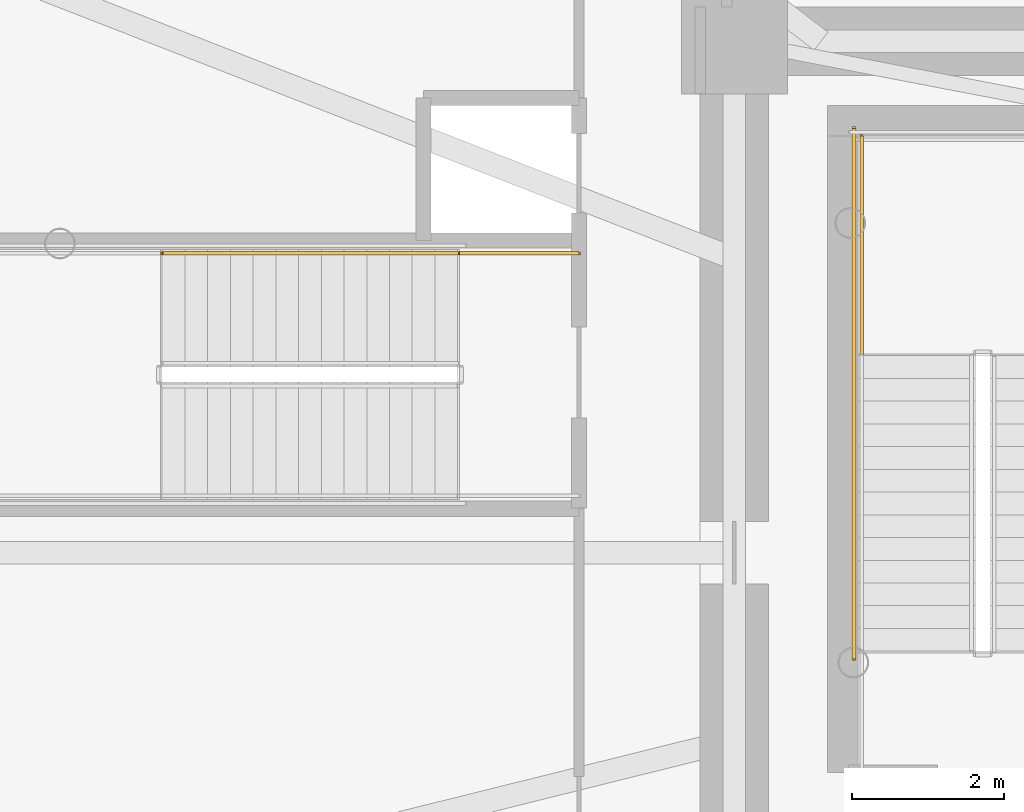
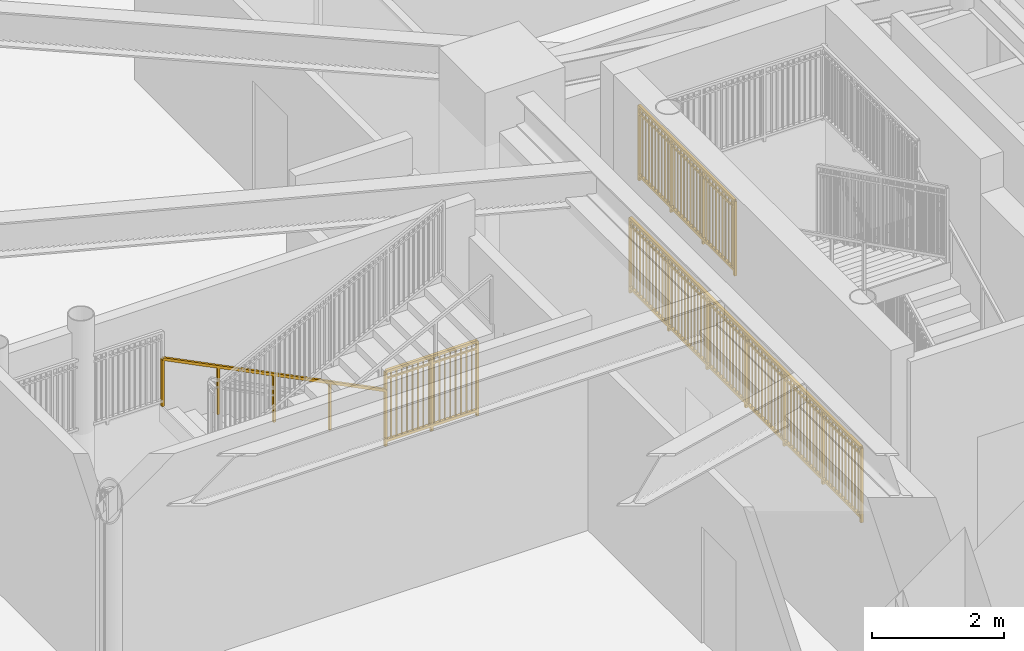
# One storey, part 27 of 35: 4 railings.
"""IFC4 building model written with IfcOpenShell, lengths in metres."""

from ifc_helpers import new_model, si_unit, direction, frame, origin, origin_2d, place, context, subcontext, project, spatial, rectangle, extrude, source, transform, mapped, material, type_object, element, save


model = new_model("IFC4")

# Units and contexts
model_context = context("Model", 3, precision=1e-05, world=origin(), true_north=direction((0.0, 1.0)))
body_context = subcontext(model_context, "Body", "Model", "MODEL_VIEW")
ifc_project = project(units=[si_unit("LENGTHUNIT", "METRE"), si_unit("AREAUNIT", "SQUARE_METRE"), si_unit("VOLUMEUNIT", "CUBIC_METRE"), si_unit("PLANEANGLEUNIT", "RADIAN"), si_unit("MASSUNIT", "GRAM", prefix="KILO")], contexts=[model_context])

# Site, building, storey
site_placement = place(None, origin())
site = spatial("IfcSite", under=ifc_project, at=site_placement, CompositionType="ELEMENT")
building_placement = place(site_placement, origin())
building = spatial("IfcBuilding", under=site, at=building_placement, Name="Linh Dai School and Residence Tower", CompositionType="ELEMENT")
storey_placement = place(building_placement, frame((0.0, 0.0, 32.39990234375)))
storey = spatial("IfcBuildingStorey", under=building, at=storey_placement, Name="L07", CompositionType="ELEMENT", Elevation=32.39990234375)

# Railings
ifc_material_1 = material(Name="Structural Steel S355JR", Category="steel")
railing_type_1 = type_object("IfcRailingType", Name="RL-ST-GUARD-1400", PredefinedType="GUARDRAIL", material=ifc_material_1)
shared_shape_1 = source(origin(), body_context, "Body", "SweptSolid", [
    extrude(rectangle(XDim=0.048095703125, YDim=0.048095703125, at=origin_2d()), frame((0.0, 0.0, 1.3759765625), z_axis=(0.0, 1.0, 0.0), x_axis=(-1.0, 0.0, 0.0)), (0.0, 0.0, 1.0), 7.0),
    extrude(rectangle(XDim=0.048095703125, YDim=0.048095703125, at=origin_2d()), frame((0.0, 0.0, 0.10009765625), z_axis=(0.0, 1.0, 0.0), x_axis=(-1.0, 0.0, 0.0)), (0.0, 0.0, 1.0), 7.0),
    extrude(rectangle(XDim=0.030029296875, YDim=0.030029296875, at=origin_2d()), frame((0.0, 0.0, 1.239990234375), z_axis=(0.0, 1.0, 0.0), x_axis=(-1.0, 0.0, 0.0)), (0.0, 0.0, 1.0), 7.0),
    extrude(rectangle(XDim=0.02001953125, YDim=0.02001953125, at=origin_2d()), frame((0.0, 0.09716796875, 0.10009765625)), (0.0, 0.0, 1.0), 1.251708984375),
    extrude(rectangle(XDim=0.02001953125, YDim=0.02001953125, at=origin_2d()), frame((0.0, 0.1943359375, 0.10009765625)), (0.0, 0.0, 1.0), 1.251708984375),
    extrude(rectangle(XDim=0.02001953125, YDim=0.02001953125, at=origin_2d()), frame((0.0, 0.291748046875, 0.10009765625)), (0.0, 0.0, 1.0), 1.251708984375),
    extrude(rectangle(XDim=0.02001953125, YDim=0.02001953125, at=origin_2d()), frame((0.0, 0.388916015625, 0.10009765625)), (0.0, 0.0, 1.0), 1.251708984375),
    extrude(rectangle(XDim=0.02001953125, YDim=0.02001953125, at=origin_2d()), frame((0.0, 0.486083984375, 0.10009765625)), (0.0, 0.0, 1.0), 1.251708984375),
    extrude(rectangle(XDim=0.02001953125, YDim=0.02001953125, at=origin_2d()), frame((0.0, 0.583251953125, 0.10009765625)), (0.0, 0.0, 1.0), 1.251708984375),
    extrude(rectangle(XDim=0.02001953125, YDim=0.02001953125, at=origin_2d()), frame((0.0, 0.6806640625, 0.10009765625)), (0.0, 0.0, 1.0), 1.251708984375),
    extrude(rectangle(XDim=0.02001953125, YDim=0.02001953125, at=origin_2d()), frame((0.0, 0.77783203125, 0.10009765625)), (0.0, 0.0, 1.0), 1.251708984375),
    extrude(rectangle(XDim=0.02001953125, YDim=0.02001953125, at=origin_2d()), frame((0.0, 0.875, 0.10009765625)), (0.0, 0.0, 1.0), 1.251708984375),
    extrude(rectangle(XDim=0.02001953125, YDim=0.02001953125, at=origin_2d()), frame((0.0, 0.97216796875, 0.10009765625)), (0.0, 0.0, 1.0), 1.251708984375),
    extrude(rectangle(XDim=0.02001953125, YDim=0.02001953125, at=origin_2d()), frame((0.0, 1.0693359375, 0.10009765625)), (0.0, 0.0, 1.0), 1.251708984375),
    extrude(rectangle(XDim=0.02001953125, YDim=0.02001953125, at=origin_2d()), frame((0.0, 1.263916015625, 0.10009765625)), (0.0, 0.0, 1.0), 1.251708984375),
    extrude(rectangle(XDim=0.02001953125, YDim=0.02001953125, at=origin_2d()), frame((0.0, 1.361083984375, 0.10009765625)), (0.0, 0.0, 1.0), 1.251708984375),
    extrude(rectangle(XDim=0.02001953125, YDim=0.02001953125, at=origin_2d()), frame((0.0, 1.458251953125, 0.10009765625)), (0.0, 0.0, 1.0), 1.251708984375),
    extrude(rectangle(XDim=0.02001953125, YDim=0.02001953125, at=origin_2d()), frame((0.0, 1.5556640625, 0.10009765625)), (0.0, 0.0, 1.0), 1.251708984375),
    extrude(rectangle(XDim=0.02001953125, YDim=0.02001953125, at=origin_2d()), frame((0.0, 1.65283203125, 0.10009765625)), (0.0, 0.0, 1.0), 1.251708984375),
    extrude(rectangle(XDim=0.02001953125, YDim=0.02001953125, at=origin_2d()), frame((0.0, 1.75, 0.10009765625)), (0.0, 0.0, 1.0), 1.251708984375),
    extrude(rectangle(XDim=0.02001953125, YDim=0.02001953125, at=origin_2d()), frame((0.0, 1.84716796875, 0.10009765625)), (0.0, 0.0, 1.0), 1.251708984375),
    extrude(rectangle(XDim=0.02001953125, YDim=0.02001953125, at=origin_2d()), frame((0.0, 1.9443359375, 0.10009765625)), (0.0, 0.0, 1.0), 1.251708984375),
    extrude(rectangle(XDim=0.02001953125, YDim=0.02001953125, at=origin_2d()), frame((0.0, 2.041748046875, 0.10009765625)), (0.0, 0.0, 1.0), 1.251708984375),
    extrude(rectangle(XDim=0.02001953125, YDim=0.02001953125, at=origin_2d()), frame((0.0, 2.138916015625, 0.10009765625)), (0.0, 0.0, 1.0), 1.251708984375),
    extrude(rectangle(XDim=0.02001953125, YDim=0.02001953125, at=origin_2d()), frame((0.0, 2.236083984375, 0.10009765625)), (0.0, 0.0, 1.0), 1.251708984375),
    extrude(rectangle(XDim=0.02001953125, YDim=0.02001953125, at=origin_2d()), frame((0.0, 2.4306640625, 0.10009765625)), (0.0, 0.0, 1.0), 1.251708984375),
    extrude(rectangle(XDim=0.02001953125, YDim=0.02001953125, at=origin_2d()), frame((0.0, 2.52783203125, 0.10009765625)), (0.0, 0.0, 1.0), 1.251708984375),
    extrude(rectangle(XDim=0.02001953125, YDim=0.02001953125, at=origin_2d()), frame((0.0, 2.625, 0.10009765625)), (0.0, 0.0, 1.0), 1.251708984375),
    extrude(rectangle(XDim=0.02001953125, YDim=0.02001953125, at=origin_2d()), frame((0.0, 2.72216796875, 0.10009765625)), (0.0, 0.0, 1.0), 1.251708984375),
    extrude(rectangle(XDim=0.02001953125, YDim=0.02001953125, at=origin_2d()), frame((0.0, 2.8193359375, 0.10009765625)), (0.0, 0.0, 1.0), 1.251708984375),
    extrude(rectangle(XDim=0.02001953125, YDim=0.02001953125, at=origin_2d()), frame((0.0, 2.916748046875, 0.10009765625)), (0.0, 0.0, 1.0), 1.251708984375),
    extrude(rectangle(XDim=0.02001953125, YDim=0.02001953125, at=origin_2d()), frame((0.0, 3.013916015625, 0.10009765625)), (0.0, 0.0, 1.0), 1.251708984375),
    extrude(rectangle(XDim=0.02001953125, YDim=0.02001953125, at=origin_2d()), frame((0.0, 3.111083984375, 0.10009765625)), (0.0, 0.0, 1.0), 1.251708984375),
    extrude(rectangle(XDim=0.02001953125, YDim=0.02001953125, at=origin_2d()), frame((0.0, 3.208251953125, 0.10009765625)), (0.0, 0.0, 1.0), 1.251708984375),
    extrude(rectangle(XDim=0.02001953125, YDim=0.02001953125, at=origin_2d()), frame((0.0, 3.3056640625, 0.10009765625)), (0.0, 0.0, 1.0), 1.251708984375),
    extrude(rectangle(XDim=0.02001953125, YDim=0.02001953125, at=origin_2d()), frame((0.0, 3.40283203125, 0.10009765625)), (0.0, 0.0, 1.0), 1.251708984375),
    extrude(rectangle(XDim=0.02001953125, YDim=0.02001953125, at=origin_2d()), frame((0.0, 3.59716796875, 0.10009765625)), (0.0, 0.0, 1.0), 1.251708984375),
    extrude(rectangle(XDim=0.02001953125, YDim=0.02001953125, at=origin_2d()), frame((0.0, 3.6943359375, 0.10009765625)), (0.0, 0.0, 1.0), 1.251708984375),
    extrude(rectangle(XDim=0.02001953125, YDim=0.02001953125, at=origin_2d()), frame((0.0, 3.791748046875, 0.10009765625)), (0.0, 0.0, 1.0), 1.251708984375),
    extrude(rectangle(XDim=0.02001953125, YDim=0.02001953125, at=origin_2d()), frame((0.0, 3.888916015625, 0.10009765625)), (0.0, 0.0, 1.0), 1.251708984375),
    extrude(rectangle(XDim=0.02001953125, YDim=0.02001953125, at=origin_2d()), frame((0.0, 3.986083984375, 0.10009765625)), (0.0, 0.0, 1.0), 1.251708984375),
    extrude(rectangle(XDim=0.02001953125, YDim=0.02001953125, at=origin_2d()), frame((0.0, 4.083251953125, 0.10009765625)), (0.0, 0.0, 1.0), 1.251708984375),
    extrude(rectangle(XDim=0.02001953125, YDim=0.02001953125, at=origin_2d()), frame((0.0, 4.1806640625, 0.10009765625)), (0.0, 0.0, 1.0), 1.251708984375),
    extrude(rectangle(XDim=0.02001953125, YDim=0.02001953125, at=origin_2d()), frame((0.0, 4.27783203125, 0.10009765625)), (0.0, 0.0, 1.0), 1.251708984375),
    extrude(rectangle(XDim=0.02001953125, YDim=0.02001953125, at=origin_2d()), frame((0.0, 4.375, 0.10009765625)), (0.0, 0.0, 1.0), 1.251708984375),
    extrude(rectangle(XDim=0.02001953125, YDim=0.02001953125, at=origin_2d()), frame((0.0, 4.47216796875, 0.10009765625)), (0.0, 0.0, 1.0), 1.251708984375),
    extrude(rectangle(XDim=0.02001953125, YDim=0.02001953125, at=origin_2d()), frame((0.0, 4.5693359375, 0.10009765625)), (0.0, 0.0, 1.0), 1.251708984375),
    extrude(rectangle(XDim=0.02001953125, YDim=0.02001953125, at=origin_2d()), frame((0.0, 4.763916015625, 0.10009765625)), (0.0, 0.0, 1.0), 1.251708984375),
    extrude(rectangle(XDim=0.02001953125, YDim=0.02001953125, at=origin_2d()), frame((0.0, 4.861083984375, 0.10009765625)), (0.0, 0.0, 1.0), 1.251708984375),
    extrude(rectangle(XDim=0.02001953125, YDim=0.02001953125, at=origin_2d()), frame((0.0, 4.958251953125, 0.10009765625)), (0.0, 0.0, 1.0), 1.251708984375),
    extrude(rectangle(XDim=0.02001953125, YDim=0.02001953125, at=origin_2d()), frame((0.0, 5.0556640625, 0.10009765625)), (0.0, 0.0, 1.0), 1.251708984375),
    extrude(rectangle(XDim=0.02001953125, YDim=0.02001953125, at=origin_2d()), frame((0.0, 5.15283203125, 0.10009765625)), (0.0, 0.0, 1.0), 1.251708984375),
    extrude(rectangle(XDim=0.02001953125, YDim=0.02001953125, at=origin_2d()), frame((0.0, 5.25, 0.10009765625)), (0.0, 0.0, 1.0), 1.251708984375),
    extrude(rectangle(XDim=0.02001953125, YDim=0.02001953125, at=origin_2d()), frame((0.0, 5.34716796875, 0.10009765625)), (0.0, 0.0, 1.0), 1.251708984375),
    extrude(rectangle(XDim=0.02001953125, YDim=0.02001953125, at=origin_2d()), frame((0.0, 5.4443359375, 0.10009765625)), (0.0, 0.0, 1.0), 1.251708984375),
    extrude(rectangle(XDim=0.02001953125, YDim=0.02001953125, at=origin_2d()), frame((0.0, 5.541748046875, 0.10009765625)), (0.0, 0.0, 1.0), 1.251708984375),
    extrude(rectangle(XDim=0.02001953125, YDim=0.02001953125, at=origin_2d()), frame((0.0, 5.638916015625, 0.10009765625)), (0.0, 0.0, 1.0), 1.251708984375),
    extrude(rectangle(XDim=0.02001953125, YDim=0.02001953125, at=origin_2d()), frame((0.0, 5.736083984375, 0.10009765625)), (0.0, 0.0, 1.0), 1.251708984375),
    extrude(rectangle(XDim=0.02001953125, YDim=0.02001953125, at=origin_2d()), frame((0.0, 5.9306640625, 0.10009765625)), (0.0, 0.0, 1.0), 1.251708984375),
    extrude(rectangle(XDim=0.02001953125, YDim=0.02001953125, at=origin_2d()), frame((0.0, 6.02783203125, 0.10009765625)), (0.0, 0.0, 1.0), 1.251708984375),
    extrude(rectangle(XDim=0.02001953125, YDim=0.02001953125, at=origin_2d()), frame((0.0, 6.125, 0.10009765625)), (0.0, 0.0, 1.0), 1.251708984375),
    extrude(rectangle(XDim=0.02001953125, YDim=0.02001953125, at=origin_2d()), frame((0.0, 6.22216796875, 0.10009765625)), (0.0, 0.0, 1.0), 1.251708984375),
    extrude(rectangle(XDim=0.02001953125, YDim=0.02001953125, at=origin_2d()), frame((0.0, 6.3193359375, 0.10009765625)), (0.0, 0.0, 1.0), 1.251708984375),
    extrude(rectangle(XDim=0.02001953125, YDim=0.02001953125, at=origin_2d()), frame((0.0, 6.416748046875, 0.10009765625)), (0.0, 0.0, 1.0), 1.251708984375),
    extrude(rectangle(XDim=0.02001953125, YDim=0.02001953125, at=origin_2d()), frame((0.0, 6.513916015625, 0.10009765625)), (0.0, 0.0, 1.0), 1.251708984375),
    extrude(rectangle(XDim=0.02001953125, YDim=0.02001953125, at=origin_2d()), frame((0.0, 6.611083984375, 0.10009765625)), (0.0, 0.0, 1.0), 1.251708984375),
    extrude(rectangle(XDim=0.02001953125, YDim=0.02001953125, at=origin_2d()), frame((0.0, 6.708251953125, 0.10009765625)), (0.0, 0.0, 1.0), 1.251708984375),
    extrude(rectangle(XDim=0.02001953125, YDim=0.02001953125, at=origin_2d()), frame((0.0, 6.8056640625, 0.10009765625)), (0.0, 0.0, 1.0), 1.251708984375),
    extrude(rectangle(XDim=0.02001953125, YDim=0.02001953125, at=origin_2d()), frame((0.0, 6.90283203125, 0.10009765625)), (0.0, 0.0, 1.0), 1.251708984375),
    extrude(rectangle(XDim=0.0419921875, YDim=0.0419921875, at=origin_2d()), origin(), (0.0, 0.0, 1.0), 1.3759765625),
    extrude(rectangle(XDim=0.0419921875, YDim=0.0419921875, at=origin_2d()), frame((0.0, 1.166748046875, 0.0)), (0.0, 0.0, 1.0), 1.3759765625),
    extrude(rectangle(XDim=0.0419921875, YDim=0.0419921875, at=origin_2d()), frame((0.0, 2.333251953125, 0.0)), (0.0, 0.0, 1.0), 1.3759765625),
    extrude(rectangle(XDim=0.0419921875, YDim=0.0419921875, at=origin_2d()), frame((0.0, 3.5, 0.0)), (0.0, 0.0, 1.0), 1.3759765625),
    extrude(rectangle(XDim=0.0419921875, YDim=0.0419921875, at=origin_2d()), frame((0.0, 4.666748046875, 0.0)), (0.0, 0.0, 1.0), 1.3759765625),
    extrude(rectangle(XDim=0.0419921875, YDim=0.0419921875, at=origin_2d()), frame((0.0, 5.833251953125, 0.0)), (0.0, 0.0, 1.0), 1.3759765625),
    extrude(rectangle(XDim=0.0419921875, YDim=0.0419921875, at=origin_2d()), frame((0.0, 7.0, 0.0)), (0.0, 0.0, 1.0), 1.3759765625),
])
railing_1_placement = place(storey_placement, frame((27.6298828125, 25.60009765625, 0.0)))
element("IfcRailing", 1, at=railing_1_placement, inside=storey, type_object=railing_type_1, Name="L07 ST1 stair guard 11", PredefinedType="GUARDRAIL", context=body_context, shape_type="MappedRepresentation", body=[
    mapped(shared_shape_1, transform((0.0, 0.0, 0.0), x_axis=(1.0, 0.0, 0.0), y_axis=(0.0, 1.0, 0.0), z_axis=(0.0, 0.0, 1.0), scale=1.0)),
])
shared_shape_2 = source(origin(), body_context, "Body", "SweptSolid", [
    extrude(rectangle(XDim=0.048095703125, YDim=0.048095703125, at=origin_2d()), frame((0.0, 0.0, 1.3759765625), z_axis=(0.0, 1.0, 0.0), x_axis=(-1.0, 0.0, 0.0)), (0.0, 0.0, 1.0), 2.89990234375),
    extrude(rectangle(XDim=0.048095703125, YDim=0.048095703125, at=origin_2d()), frame((0.0, 0.0, 0.10009765625), z_axis=(0.0, 1.0, 0.0), x_axis=(-1.0, 0.0, 0.0)), (0.0, 0.0, 1.0), 2.89990234375),
    extrude(rectangle(XDim=0.030029296875, YDim=0.030029296875, at=origin_2d()), frame((0.0, 0.0, 1.239990234375), z_axis=(0.0, 1.0, 0.0), x_axis=(-1.0, 0.0, 0.0)), (0.0, 0.0, 1.0), 2.89990234375),
    extrude(rectangle(XDim=0.02001953125, YDim=0.02001953125, at=origin_2d()), frame((0.0, 0.0966796875, 0.10009765625)), (0.0, 0.0, 1.0), 1.251708984375),
    extrude(rectangle(XDim=0.02001953125, YDim=0.02001953125, at=origin_2d()), frame((0.0, 0.193359375, 0.10009765625)), (0.0, 0.0, 1.0), 1.251708984375),
    extrude(rectangle(XDim=0.02001953125, YDim=0.02001953125, at=origin_2d()), frame((0.0, 0.2900390625, 0.10009765625)), (0.0, 0.0, 1.0), 1.251708984375),
    extrude(rectangle(XDim=0.02001953125, YDim=0.02001953125, at=origin_2d()), frame((0.0, 0.38671875, 0.10009765625)), (0.0, 0.0, 1.0), 1.251708984375),
    extrude(rectangle(XDim=0.02001953125, YDim=0.02001953125, at=origin_2d()), frame((0.0, 0.4833984375, 0.10009765625)), (0.0, 0.0, 1.0), 1.251708984375),
    extrude(rectangle(XDim=0.02001953125, YDim=0.02001953125, at=origin_2d()), frame((0.0, 0.580078125, 0.10009765625)), (0.0, 0.0, 1.0), 1.251708984375),
    extrude(rectangle(XDim=0.02001953125, YDim=0.02001953125, at=origin_2d()), frame((0.0, 0.6767578125, 0.10009765625)), (0.0, 0.0, 1.0), 1.251708984375),
    extrude(rectangle(XDim=0.02001953125, YDim=0.02001953125, at=origin_2d()), frame((0.0, 0.773193359375, 0.10009765625)), (0.0, 0.0, 1.0), 1.251708984375),
    extrude(rectangle(XDim=0.02001953125, YDim=0.02001953125, at=origin_2d()), frame((0.0, 0.869873046875, 0.10009765625)), (0.0, 0.0, 1.0), 1.251708984375),
    extrude(rectangle(XDim=0.02001953125, YDim=0.02001953125, at=origin_2d()), frame((0.0, 1.063232421875, 0.10009765625)), (0.0, 0.0, 1.0), 1.251708984375),
    extrude(rectangle(XDim=0.02001953125, YDim=0.02001953125, at=origin_2d()), frame((0.0, 1.159912109375, 0.10009765625)), (0.0, 0.0, 1.0), 1.251708984375),
    extrude(rectangle(XDim=0.02001953125, YDim=0.02001953125, at=origin_2d()), frame((0.0, 1.256591796875, 0.10009765625)), (0.0, 0.0, 1.0), 1.251708984375),
    extrude(rectangle(XDim=0.02001953125, YDim=0.02001953125, at=origin_2d()), frame((0.0, 1.353271484375, 0.10009765625)), (0.0, 0.0, 1.0), 1.251708984375),
    extrude(rectangle(XDim=0.02001953125, YDim=0.02001953125, at=origin_2d()), frame((0.0, 1.449951171875, 0.10009765625)), (0.0, 0.0, 1.0), 1.251708984375),
    extrude(rectangle(XDim=0.02001953125, YDim=0.02001953125, at=origin_2d()), frame((0.0, 1.546630859375, 0.10009765625)), (0.0, 0.0, 1.0), 1.251708984375),
    extrude(rectangle(XDim=0.02001953125, YDim=0.02001953125, at=origin_2d()), frame((0.0, 1.643310546875, 0.10009765625)), (0.0, 0.0, 1.0), 1.251708984375),
    extrude(rectangle(XDim=0.02001953125, YDim=0.02001953125, at=origin_2d()), frame((0.0, 1.739990234375, 0.10009765625)), (0.0, 0.0, 1.0), 1.251708984375),
    extrude(rectangle(XDim=0.02001953125, YDim=0.02001953125, at=origin_2d()), frame((0.0, 1.836669921875, 0.10009765625)), (0.0, 0.0, 1.0), 1.251708984375),
    extrude(rectangle(XDim=0.02001953125, YDim=0.02001953125, at=origin_2d()), frame((0.0, 2.030029296875, 0.10009765625)), (0.0, 0.0, 1.0), 1.251708984375),
    extrude(rectangle(XDim=0.02001953125, YDim=0.02001953125, at=origin_2d()), frame((0.0, 2.126708984375, 0.10009765625)), (0.0, 0.0, 1.0), 1.251708984375),
    extrude(rectangle(XDim=0.02001953125, YDim=0.02001953125, at=origin_2d()), frame((0.0, 2.22314453125, 0.10009765625)), (0.0, 0.0, 1.0), 1.251708984375),
    extrude(rectangle(XDim=0.02001953125, YDim=0.02001953125, at=origin_2d()), frame((0.0, 2.31982421875, 0.10009765625)), (0.0, 0.0, 1.0), 1.251708984375),
    extrude(rectangle(XDim=0.02001953125, YDim=0.02001953125, at=origin_2d()), frame((0.0, 2.41650390625, 0.10009765625)), (0.0, 0.0, 1.0), 1.251708984375),
    extrude(rectangle(XDim=0.02001953125, YDim=0.02001953125, at=origin_2d()), frame((0.0, 2.51318359375, 0.10009765625)), (0.0, 0.0, 1.0), 1.251708984375),
    extrude(rectangle(XDim=0.02001953125, YDim=0.02001953125, at=origin_2d()), frame((0.0, 2.60986328125, 0.10009765625)), (0.0, 0.0, 1.0), 1.251708984375),
    extrude(rectangle(XDim=0.02001953125, YDim=0.02001953125, at=origin_2d()), frame((0.0, 2.70654296875, 0.10009765625)), (0.0, 0.0, 1.0), 1.251708984375),
    extrude(rectangle(XDim=0.02001953125, YDim=0.02001953125, at=origin_2d()), frame((0.0, 2.80322265625, 0.10009765625)), (0.0, 0.0, 1.0), 1.251708984375),
    extrude(rectangle(XDim=0.0419921875, YDim=0.0419921875, at=origin_2d()), origin(), (0.0, 0.0, 1.0), 1.3759765625),
    extrude(rectangle(XDim=0.0419921875, YDim=0.0419921875, at=origin_2d()), frame((0.0, 0.966552734375, 0.0)), (0.0, 0.0, 1.0), 1.3759765625),
    extrude(rectangle(XDim=0.0419921875, YDim=0.0419921875, at=origin_2d()), frame((0.0, 1.933349609375, 0.0)), (0.0, 0.0, 1.0), 1.3759765625),
    extrude(rectangle(XDim=0.0419921875, YDim=0.0419921875, at=origin_2d()), frame((0.0, 2.89990234375, 0.0)), (0.0, 0.0, 1.0), 1.3759765625),
])
railing_2_placement = place(storey_placement, frame((27.72998046875, 29.60009765625, 2.10009765625)))
element("IfcRailing", 2, at=railing_2_placement, inside=storey, type_object=railing_type_1, Name="L07 ST1 stair guard 4", PredefinedType="GUARDRAIL", context=body_context, shape_type="MappedRepresentation", body=[
    mapped(shared_shape_2, transform((0.0, 0.0, 0.0), x_axis=(1.0, 0.0, 0.0), y_axis=(0.0, 1.0, 0.0), z_axis=(0.0, 0.0, 1.0), scale=1.0)),
])
shared_shape_3 = source(origin(), body_context, "Body", "SweptSolid", [
    extrude(rectangle(XDim=0.048095703125, YDim=0.048095703125, at=origin_2d()), frame((0.0, 0.0, 1.3759765625), z_axis=(-1.0, 0.0, 0.0), x_axis=(0.0, -1.0, 0.0)), (0.0, 0.0, 1.0), 1.60009765625),
    extrude(rectangle(XDim=0.048095703125, YDim=0.048095703125, at=origin_2d()), frame((0.0, 0.0, 0.10009765625), z_axis=(-1.0, 0.0, 0.0), x_axis=(0.0, -1.0, 0.0)), (0.0, 0.0, 1.0), 1.60009765625),
    extrude(rectangle(XDim=0.030029296875, YDim=0.030029296875, at=origin_2d()), frame((0.0, 0.0, 1.239990234375), z_axis=(-1.0, 0.0, 0.0), x_axis=(0.0, -1.0, 0.0)), (0.0, 0.0, 1.0), 1.60009765625),
    extrude(rectangle(XDim=0.02001953125, YDim=0.02001953125, at=origin_2d()), frame((-0.09423828125, 0.0, 0.10009765625)), (0.0, 0.0, 1.0), 1.251708984375),
    extrude(rectangle(XDim=0.02001953125, YDim=0.02001953125, at=origin_2d()), frame((-0.188232421875, 0.0, 0.10009765625)), (0.0, 0.0, 1.0), 1.251708984375),
    extrude(rectangle(XDim=0.02001953125, YDim=0.02001953125, at=origin_2d()), frame((-0.282470703125, 0.0, 0.10009765625)), (0.0, 0.0, 1.0), 1.251708984375),
    extrude(rectangle(XDim=0.02001953125, YDim=0.02001953125, at=origin_2d()), frame((-0.37646484375, 0.0, 0.10009765625)), (0.0, 0.0, 1.0), 1.251708984375),
    extrude(rectangle(XDim=0.02001953125, YDim=0.02001953125, at=origin_2d()), frame((-0.470703125, 0.0, 0.10009765625)), (0.0, 0.0, 1.0), 1.251708984375),
    extrude(rectangle(XDim=0.02001953125, YDim=0.02001953125, at=origin_2d()), frame((-0.564697265625, 0.0, 0.10009765625)), (0.0, 0.0, 1.0), 1.251708984375),
    extrude(rectangle(XDim=0.02001953125, YDim=0.02001953125, at=origin_2d()), frame((-0.658935546875, 0.0, 0.10009765625)), (0.0, 0.0, 1.0), 1.251708984375),
    extrude(rectangle(XDim=0.02001953125, YDim=0.02001953125, at=origin_2d()), frame((-0.7529296875, 0.0, 0.10009765625)), (0.0, 0.0, 1.0), 1.251708984375),
    extrude(rectangle(XDim=0.02001953125, YDim=0.02001953125, at=origin_2d()), frame((-0.84716796875, 0.0, 0.10009765625)), (0.0, 0.0, 1.0), 1.251708984375),
    extrude(rectangle(XDim=0.02001953125, YDim=0.02001953125, at=origin_2d()), frame((-0.941162109375, 0.0, 0.10009765625)), (0.0, 0.0, 1.0), 1.251708984375),
    extrude(rectangle(XDim=0.02001953125, YDim=0.02001953125, at=origin_2d()), frame((-1.035400390625, 0.0, 0.10009765625)), (0.0, 0.0, 1.0), 1.251708984375),
    extrude(rectangle(XDim=0.02001953125, YDim=0.02001953125, at=origin_2d()), frame((-1.12939453125, 0.0, 0.10009765625)), (0.0, 0.0, 1.0), 1.251708984375),
    extrude(rectangle(XDim=0.02001953125, YDim=0.02001953125, at=origin_2d()), frame((-1.2236328125, 0.0, 0.10009765625)), (0.0, 0.0, 1.0), 1.251708984375),
    extrude(rectangle(XDim=0.02001953125, YDim=0.02001953125, at=origin_2d()), frame((-1.317626953125, 0.0, 0.10009765625)), (0.0, 0.0, 1.0), 1.251708984375),
    extrude(rectangle(XDim=0.02001953125, YDim=0.02001953125, at=origin_2d()), frame((-1.411865234375, 0.0, 0.10009765625)), (0.0, 0.0, 1.0), 1.251708984375),
    extrude(rectangle(XDim=0.02001953125, YDim=0.02001953125, at=origin_2d()), frame((-1.505859375, 0.0, 0.10009765625)), (0.0, 0.0, 1.0), 1.251708984375),
    extrude(rectangle(XDim=0.0419921875, YDim=0.0419921875, at=origin_2d()), origin(), (0.0, 0.0, 1.0), 1.3759765625),
    extrude(rectangle(XDim=0.0419921875, YDim=0.0419921875, at=origin_2d()), frame((-0.800048828125, 0.0, 0.0)), (0.0, 0.0, 1.0), 1.3759765625),
    extrude(rectangle(XDim=0.0419921875, YDim=0.0419921875, at=origin_2d()), frame((-1.60009765625, 0.0, 0.0)), (0.0, 0.0, 1.0), 1.3759765625),
])
railing_3_placement = place(storey_placement, frame((24.0, 30.949951171875, 0.0)))
element("IfcRailing", 3, at=railing_3_placement, inside=storey, type_object=railing_type_1, Name="L07 STS1 stair guard 8", PredefinedType="GUARDRAIL", context=body_context, shape_type="MappedRepresentation", body=[
    mapped(shared_shape_3, transform((0.0, 0.0, 0.0), x_axis=(1.0, 0.0, 0.0), y_axis=(0.0, 1.0, 0.0), z_axis=(0.0, 0.0, 1.0), scale=1.0)),
])
ifc_material_2 = material(Name="Brushed Stainless Steel Handrail", Category="steel")
railing_type_2 = type_object("IfcRailingType", Name="RL-ST-HANDRAIL-900", PredefinedType="HANDRAIL", material=ifc_material_2)
shared_shape_4 = source(origin(), body_context, "Body", "SweptSolid", [
    extrude(rectangle(XDim=0.048095703125, YDim=0.048095703125, at=origin_2d()), frame((0.0, 0.0, 0.8759765625), z_axis=(-0.894427191, 0.0, 0.4472135955), x_axis=(0.0, -1.0, 0.0)), (0.0, 0.0, 1.0), 4.360107421875),
    extrude(rectangle(XDim=0.0419921875, YDim=0.0419921875, at=origin_2d()), origin(), (0.0, 0.0, 1.0), 0.8759765625),
    extrude(rectangle(XDim=0.0419921875, YDim=0.0419921875, at=origin_2d()), frame((-0.97509765625, 0.0, 0.487548828125)), (0.0, 0.0, 1.0), 0.8759765625),
    extrude(rectangle(XDim=0.0419921875, YDim=0.0419921875, at=origin_2d()), frame((-1.949951171875, 0.0, 0.97509765625)), (0.0, 0.0, 1.0), 0.8759765625),
    extrude(rectangle(XDim=0.0419921875, YDim=0.0419921875, at=origin_2d()), frame((-2.9248046875, 0.0, 1.46240234375)), (0.0, 0.0, 1.0), 0.8759765625),
    extrude(rectangle(XDim=0.0419921875, YDim=0.0419921875, at=origin_2d()), frame((-3.89990234375, 0.0, 1.949951171875)), (0.0, 0.0, 1.0), 0.8759765625),
])
railing_4_placement = place(storey_placement, frame((22.39990234375, 30.949951171875, 0.150146484375)))
element("IfcRailing", 4, at=railing_4_placement, inside=storey, type_object=railing_type_2, Name="L07 STS1 stair handrail 1", PredefinedType="HANDRAIL", context=body_context, shape_type="MappedRepresentation", body=[
    mapped(shared_shape_4, transform((0.0, 0.0, 0.0), x_axis=(1.0, 0.0, 0.0), y_axis=(0.0, 1.0, 0.0), z_axis=(0.0, 0.0, 1.0), scale=1.0)),
])

save(model, "model.ifc")
